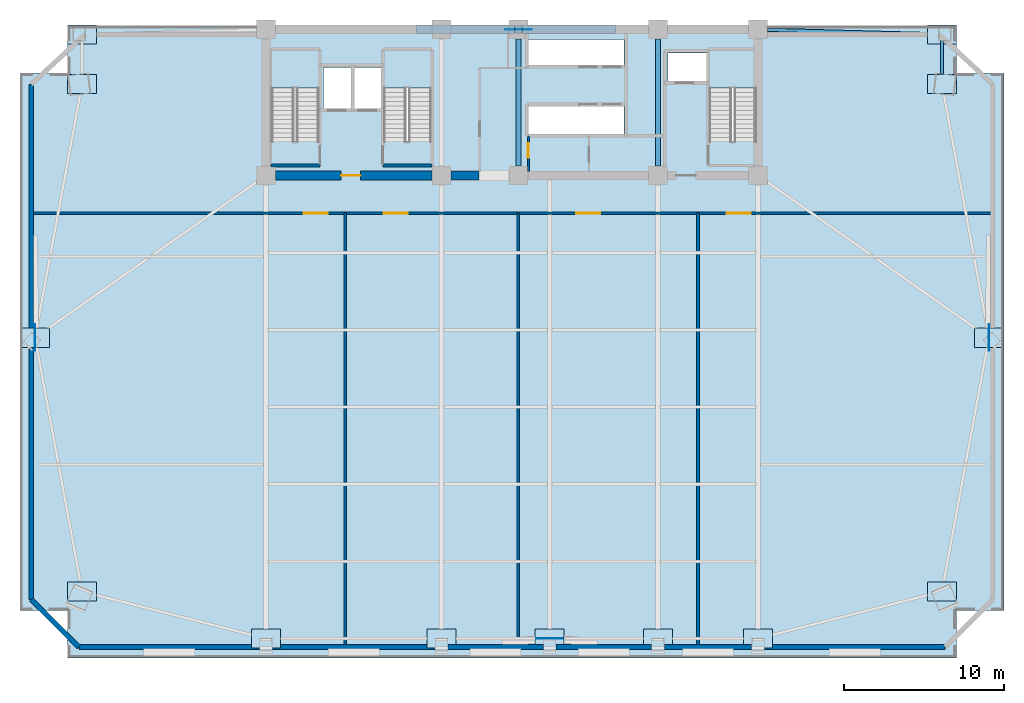
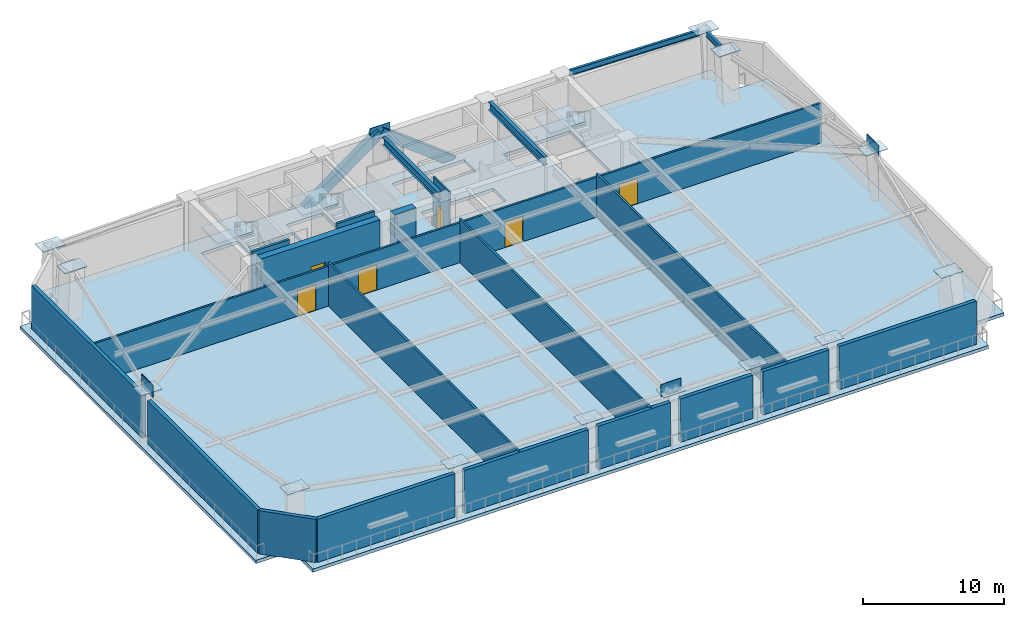
# One storey, part 2 of 9: 18 walls, 17 plates, 6 doors, 4 beams, 4 slabs, 2 members, 6 openings, 3 elements without a shape of their own.
"""IFC4 building model written with IfcOpenShell, lengths in metres."""

import ifcopenshell
import ifcopenshell.guid

model = None  # the IFC model being written
_history = None  # IfcOwnerHistory: only IFC2X3 demands one
_inside = {}  # id of a spatial element -> (the spatial element, [elements in it])
_under = {}  # id of a project, library or spatial element -> (it, [spatial elements below it])
_declared = {}  # id of a project -> (the project, [libraries it declares])
_typed = {}  # id of a type object -> (the type object, [elements of that type])
_made_of = {}  # id of a material, layer set ... -> (it, [elements and type objects made of it])


def new_model(schema):
    """Start an empty IFC model of exactly this schema.

    Asked for "IFC4X3", IfcOpenShell would pick the latest addendum, in which some entities
    have other attributes; the version numbers below select the first issue.
    IFC2X3 requires an IfcOwnerHistory on every rooted entity: one is made here for all.
    """
    global model, _history
    if schema == "IFC4X3":
        model = ifcopenshell.file(schema_version=(4, 3, 0, 0))
    else:
        model = ifcopenshell.file(schema=schema)
    _inside.clear()
    _under.clear()
    _declared.clear()
    _typed.clear()
    _made_of.clear()
    _history = None
    if model.schema == "IFC2X3":
        org = make("IfcOrganization", Name="unknown")
        user = make(
            "IfcPersonAndOrganization",
            ThePerson=make("IfcPerson", FamilyName="unknown"),
            TheOrganization=org,
        )
        app = make(
            "IfcApplication",
            ApplicationDeveloper=org,
            Version="unknown",
            ApplicationFullName="unknown",
            ApplicationIdentifier="unknown",
        )
        _history = make(
            "IfcOwnerHistory",
            OwningUser=user,
            OwningApplication=app,
            ChangeAction="ADDED",
            CreationDate=0,
        )
    return model


def make(cls, **values):
    """One entity of the class cls with the attributes given. An attribute that is None is left unset."""
    return model.create_entity(
        cls, **{name: value for name, value in values.items() if value is not None}
    )


def rooted(cls, **values):
    """An entity with a GlobalId (a new one), such as an element, a storey or a relation."""
    return make(cls, GlobalId=ifcopenshell.guid.new(), OwnerHistory=_history, **values)


def si_unit(unit_type, name, prefix=None):
    """IfcSIUnit, for example si_unit("LENGTHUNIT", "METRE", prefix="MILLI")."""
    return make("IfcSIUnit", UnitType=unit_type, Prefix=prefix, Name=name)


def assignment(units):
    """IfcUnitAssignment: the units of a project."""
    return None if units is None else make("IfcUnitAssignment", Units=units)


def point(xyz):
    """IfcCartesianPoint."""
    return None if xyz is None else make("IfcCartesianPoint", Coordinates=xyz)


def direction(xyz):
    """IfcDirection."""
    return None if xyz is None else make("IfcDirection", DirectionRatios=xyz)


def frame(location, z_axis=None, x_axis=None):
    """IfcAxis2Placement3D, a coordinate frame: its origin and axes. An axis left out is left unset."""
    return make(
        "IfcAxis2Placement3D",
        Location=point(location),
        Axis=direction(z_axis),
        RefDirection=direction(x_axis),
    )


def frame_2d(location, x_axis=None):
    """IfcAxis2Placement2D, a coordinate frame in the plane: its origin and x axis."""
    return make(
        "IfcAxis2Placement2D", Location=point(location), RefDirection=direction(x_axis)
    )


def origin():
    """The frame at (0, 0, 0) with its axes left unset."""
    return frame((0.0, 0.0, 0.0))


def origin_2d():
    """The frame at (0, 0) in the plane with its x axis left unset."""
    return frame_2d((0.0, 0.0))


def place(relative_to, where):
    """IfcLocalPlacement: puts the frame where relative to a parent placement (None: the world)."""
    return make(
        "IfcLocalPlacement", PlacementRelTo=relative_to, RelativePlacement=where
    )


def context(
    kind, dimensions, precision=None, world=None, true_north=None, identifier=None
):
    """IfcGeometricRepresentationContext, for example the 3D "Model" context."""
    return make(
        "IfcGeometricRepresentationContext",
        ContextIdentifier=identifier,
        ContextType=kind,
        CoordinateSpaceDimension=dimensions,
        Precision=precision,
        WorldCoordinateSystem=world,
        TrueNorth=true_north,
    )


def subcontext(parent, identifier, kind, view, scale=None):
    """IfcGeometricRepresentationSubContext, for example "Body" below "Model"."""
    return make(
        "IfcGeometricRepresentationSubContext",
        ContextIdentifier=identifier,
        ContextType=kind,
        ParentContext=parent,
        TargetScale=scale,
        TargetView=view,
    )


def project(units=None, contexts=None):
    """IfcProject with its units and contexts."""
    return rooted(
        "IfcProject",
        Name="project",
        RepresentationContexts=contexts,
        UnitsInContext=assignment(units),
    )


def spatial(cls, under=None, at=None, **own):
    """A site, building, storey or space (cls), placed at a placement, below another one or the project."""
    s = rooted(cls, ObjectPlacement=at, **own)
    if under is not None:
        _under.setdefault(under.id(), (under, []))[1].append(s)
    return s


def polyline(points):
    """IfcPolyline through the points."""
    return make("IfcPolyline", Points=[point(p) for p in points])


def profile(cls, at=None, kind="AREA", **sizes):
    """A parametric profile (cls). Its sizes go by their IFC names, for example OverallWidth=200.0."""
    return make(cls, ProfileType=kind, Position=at, **sizes)


def rectangle(**sizes):
    """IfcRectangleProfileDef."""
    return profile("IfcRectangleProfileDef", **sizes)


def hollow_rectangle(**sizes):
    """IfcRectangleHollowProfileDef."""
    return profile("IfcRectangleHollowProfileDef", **sizes)


def i_section(**sizes):
    """IfcIShapeProfileDef."""
    return profile("IfcIShapeProfileDef", **sizes)


def outline(outer, holes=None, kind="AREA"):
    """IfcArbitraryClosedProfileDef: a profile drawn as a closed curve; with holes, ...WithVoids."""
    if holes is None:
        return make("IfcArbitraryClosedProfileDef", ProfileType=kind, OuterCurve=outer)
    return make(
        "IfcArbitraryProfileDefWithVoids",
        ProfileType=kind,
        OuterCurve=outer,
        InnerCurves=holes,
    )


def extrude(swept, where, along, depth):
    """IfcExtrudedAreaSolid: the profile swept, set in the frame where, extruded along a direction by depth."""
    return make(
        "IfcExtrudedAreaSolid",
        SweptArea=swept,
        Position=where,
        ExtrudedDirection=direction(along),
        Depth=depth,
    )


def shape(context_of_items, identifier, shape_type, items):
    """IfcShapeRepresentation: the items that make up one representation, for example the "Body"."""
    return make(
        "IfcShapeRepresentation",
        ContextOfItems=context_of_items,
        RepresentationIdentifier=identifier,
        RepresentationType=shape_type,
        Items=items,
    )


def source(mapping_origin, context_of_items, identifier, shape_type, items):
    """IfcRepresentationMap: a shape defined once, which mapped items show again and again."""
    return make(
        "IfcRepresentationMap",
        MappingOrigin=mapping_origin,
        MappedRepresentation=shape(context_of_items, identifier, shape_type, items),
    )


def transform(
    local_origin,
    x_axis=None,
    y_axis=None,
    z_axis=None,
    scale=None,
    scale2=None,
    scale3=None,
    uniform=True,
):
    """IfcCartesianTransformationOperator3D, or its non-uniform kind. x_axis, y_axis, z_axis: its Axis1, 2, 3."""
    if uniform:
        return make(
            "IfcCartesianTransformationOperator3D",
            Axis1=direction(x_axis),
            Axis2=direction(y_axis),
            LocalOrigin=point(local_origin),
            Scale=scale,
            Axis3=direction(z_axis),
        )
    return make(
        "IfcCartesianTransformationOperator3DnonUniform",
        Axis1=direction(x_axis),
        Axis2=direction(y_axis),
        LocalOrigin=point(local_origin),
        Scale=scale,
        Axis3=direction(z_axis),
        Scale2=scale2,
        Scale3=scale3,
    )


def mapped(mapping_source, mapping_target):
    """IfcMappedItem: shows the shape of a source again, moved by a transform."""
    return make(
        "IfcMappedItem", MappingSource=mapping_source, MappingTarget=mapping_target
    )


def material(Name=None, Category=None):
    """IfcMaterial."""
    return make("IfcMaterial", Name=Name, Category=Category)


def layer(
    of_material, thickness, ventilated=None, Name=None, Category=None, Priority=None
):
    """IfcMaterialLayer: one layer of a wall or slab, of a material (None: an air gap)."""
    return make(
        "IfcMaterialLayer",
        Material=of_material,
        LayerThickness=thickness,
        IsVentilated=ventilated,
        Name=Name,
        Category=Category,
        Priority=Priority,
    )


def layer_set(layers, Name=None):
    """IfcMaterialLayerSet."""
    return make("IfcMaterialLayerSet", MaterialLayers=layers, LayerSetName=Name)


def material_profile(
    of_material, cross_section, Name=None, Category=None, Priority=None
):
    """IfcMaterialProfile: a cross section and its material."""
    return make(
        "IfcMaterialProfile",
        Name=Name,
        Material=of_material,
        Profile=cross_section,
        Priority=Priority,
        Category=Category,
    )


def profile_set(profiles, Name=None, composite=None):
    """IfcMaterialProfileSet."""
    return make(
        "IfcMaterialProfileSet",
        Name=Name,
        MaterialProfiles=profiles,
        CompositeProfile=composite,
    )


def made_of(thing, what):
    """Note that an element or type object is made of a material, layer set ...; save() writes the relation."""
    if what is not None:
        _made_of.setdefault(what.id(), (what, []))[1].append(thing)
    return thing


def type_object(cls, material=None, **own):
    """A type object (cls), such as IfcWallType, which elements share."""
    return made_of(rooted(cls, **own), material)


def element(
    cls,
    number,
    at=None,
    inside=None,
    cuts=None,
    type_object=None,
    material=None,
    context=None,
    identifier="Body",
    shape_type=None,
    held_by="IfcProductDefinitionShape",
    body=None,
    shapes=None,
    **own,
):
    """One element of the class cls, such as IfcWall. Its Tag is "e" and its number.

    at: its placement. inside: the storey or other place that contains it. cuts: it is an
    opening in that element (IfcRelVoidsElement). A single representation is given by context,
    identifier, shape_type and body (its items); several are given by shapes. held_by: the class
    of the entity that holds the representations. save() writes the other relations.
    """
    e = rooted(cls, Tag="e%d" % number, ObjectPlacement=at, **own)
    if body is not None:
        shapes = [shape(context, identifier, shape_type, body)]
    if shapes is not None:
        e.Representation = make(held_by, Representations=shapes)
    if inside is not None:
        _inside.setdefault(inside.id(), (inside, []))[1].append(e)
    if cuts is not None:
        rooted(
            "IfcRelVoidsElement", RelatingBuildingElement=cuts, RelatedOpeningElement=e
        )
    if type_object is not None:
        _typed.setdefault(type_object.id(), (type_object, []))[1].append(e)
    return made_of(e, material)


def fill(opening, filler):
    """IfcRelFillsElement: the door or window that sits in an opening."""
    return rooted(
        "IfcRelFillsElement",
        RelatingOpeningElement=opening,
        RelatedBuildingElement=filler,
    )


def aggregate(whole, parts):
    """IfcRelAggregates: a whole, such as a stair, and the parts it consists of."""
    return rooted("IfcRelAggregates", RelatingObject=whole, RelatedObjects=parts)


def save(model, path):
    """Write the relations noted so far, then the file.

    IfcRelAggregates (storeys below a building ...), IfcRelContainedInSpatialStructure (elements
    in a storey), IfcRelDefinesByType, IfcRelAssociatesMaterial and IfcRelDeclares: one each for
    every whole, place, type object, material and project.
    """
    for whole, parts in _under.values():
        aggregate(whole, parts)
    for where, things in _inside.values():
        rooted(
            "IfcRelContainedInSpatialStructure",
            RelatedElements=things,
            RelatingStructure=where,
        )
    for kind, things in _typed.values():
        rooted("IfcRelDefinesByType", RelatedObjects=things, RelatingType=kind)
    for what, things in _made_of.values():
        rooted("IfcRelAssociatesMaterial", RelatedObjects=things, RelatingMaterial=what)
    for by, libraries in _declared.values():
        rooted("IfcRelDeclares", RelatingContext=by, RelatedDefinitions=libraries)
    model.write(path)


model = new_model("IFC4")

# Units and contexts
model_context = context("Model", 3, precision=1e-05, world=origin(), true_north=direction((0.0, 1.0)))
body_context = subcontext(model_context, "Body", "Model", "MODEL_VIEW")
ifc_project = project(units=[si_unit("LENGTHUNIT", "METRE"), si_unit("AREAUNIT", "SQUARE_METRE"), si_unit("VOLUMEUNIT", "CUBIC_METRE"), si_unit("PLANEANGLEUNIT", "RADIAN"), si_unit("MASSUNIT", "GRAM", prefix="KILO")], contexts=[model_context])

# Site, building, storey
site_placement = place(None, origin())
site = spatial("IfcSite", under=ifc_project, at=site_placement, CompositionType="ELEMENT")
building_placement = place(site_placement, origin())
building = spatial("IfcBuilding", under=site, at=building_placement, Name="Giltprow Tower", CompositionType="ELEMENT")
storey_placement = place(building_placement, frame((0.0, 0.0, 144.699951171875)))
storey = spatial("IfcBuildingStorey", under=building, at=storey_placement, Name="L35", CompositionType="ELEMENT", Elevation=144.699951171875)

# Beams
ifc_material_1 = material(Name="Structural steel Q355B", Category="steel")
ifc_material_profile_1 = material_profile(ifc_material_1, i_section(OverallWidth=0.300048828125, OverallDepth=0.699951171875, WebThickness=0.012939453125, FlangeThickness=0.02392578125, at=origin_2d()), Name="HN 700x300x13x24")
ifc_profile_set_1 = profile_set([ifc_material_profile_1], Name="Structural steel Q355B")
beam_type_1 = type_object("IfcBeamType", Name="BM-GIRD-HN700", PredefinedType="BEAM", material=ifc_profile_set_1)
shared_shape_1 = source(origin(), body_context, "Body", "SweptSolid", [
    extrude(i_section(OverallWidth=0.300048828125, OverallDepth=0.699951171875, WebThickness=0.012939453125, FlangeThickness=0.02392578125, at=origin_2d()), origin(), (0.0, 0.0, 1.0), 7.93017578125),
])
for number, where, z_axis, x_axis, name in (
    (1, (35.60009765625, 38.034912109375, 3.920166015625), (0.0, 1.0, 0.0), (-1.0, 0.0, 0.0), "L35 Core Tie Girder M2"),
    (2, (44.300048828125, 38.034912109375, 3.920166015625), (0.0, 1.0, 0.0), (-1.0, 0.0, 0.0), "L35 Core Tie Girder M3"),
):
    element("IfcBeam", number, at=place(storey_placement, frame(where, z_axis=z_axis, x_axis=x_axis)), inside=storey, type_object=beam_type_1, Name=name, PredefinedType="BEAM", context=body_context, shape_type="MappedRepresentation", body=[
        mapped(shared_shape_1, transform((0.0, 0.0, 0.0), x_axis=(1.0, 0.0, 0.0), y_axis=(0.0, 1.0, 0.0), z_axis=(0.0, 0.0, 1.0), scale=1.0)),
    ])
ifc_material_profile_2 = material_profile(ifc_material_1, i_section(OverallWidth=0.199951171875, OverallDepth=0.5, WebThickness=0.010009765625, FlangeThickness=0.01611328125, at=origin_2d()), Name="HN 500x200x10x16")
ifc_profile_set_2 = profile_set([ifc_material_profile_2], Name="Structural steel Q355B")
beam_type_2 = type_object("IfcBeamType", Name="BM-SPAN-HN500", PredefinedType="SPANDREL", material=ifc_profile_set_2)
shared_shape_2 = source(origin(), body_context, "Body", "SweptSolid", [
    extrude(i_section(OverallWidth=0.199951171875, OverallDepth=0.5, WebThickness=0.010009765625, FlangeThickness=0.01611328125, at=origin_2d()), origin(), (0.0, 0.0, 1.0), 2.069091796875),
])
beam_1_placement = place(storey_placement, frame((62.011962890625, 43.7958984375, 4.02001953125), z_axis=(0.0, 1.0, 0.0), x_axis=(-1.0, 0.0, 0.0)))
element("IfcBeam", 3, at=beam_1_placement, inside=storey, type_object=beam_type_2, Name="L35 Perimeter Spandrel Beam MC_NE-N_E", PredefinedType="SPANDREL", context=body_context, shape_type="MappedRepresentation", body=[
    mapped(shared_shape_2, transform((0.0, 0.0, 0.0), x_axis=(1.0, 0.0, 0.0), y_axis=(0.0, 1.0, 0.0), z_axis=(0.0, 0.0, 1.0), scale=1.0)),
])
shared_shape_3 = source(origin(), body_context, "Body", "SweptSolid", [
    extrude(i_section(OverallWidth=0.199951171875, OverallDepth=0.5, WebThickness=0.010009765625, FlangeThickness=0.01611328125, at=origin_2d()), origin(), (0.0, 0.0, 1.0), 10.49560546875),
])
beam_2_placement = place(storey_placement, frame((51.135009765625, 46.534912109375, 4.02001953125), z_axis=(0.999656923101, -0.02619229076, 0.0), x_axis=(0.02619229076, 0.999656923101, 0.0)))
element("IfcBeam", 4, at=beam_2_placement, inside=storey, type_object=beam_type_2, Name="L35 North Wing Spandrel E", PredefinedType="SPANDREL", context=body_context, shape_type="MappedRepresentation", body=[
    mapped(shared_shape_3, transform((0.0, 0.0, 0.0), x_axis=(1.0, 0.0, 0.0), y_axis=(0.0, 1.0, 0.0), z_axis=(0.0, 0.0, 1.0), scale=1.0)),
])

# Members
ifc_material_2 = material(Name="Structural steel Q420GJC", Category="steel")
ifc_material_profile_3 = material_profile(ifc_material_2, hollow_rectangle(XDim=0.5, YDim=0.800048828125, WallThickness=0.035888671875, at=origin_2d()), Name="RHS 800x500x36")
ifc_profile_set_3 = profile_set([ifc_material_profile_3], Name="Structural steel Q420GJC")
member_type = type_object("IfcMemberType", Name="MBR-MEGA-RHS800", PredefinedType="BRACE", material=ifc_profile_set_3)
shared_shape_4 = source(origin(), body_context, "Body", "SweptSolid", [
    extrude(hollow_rectangle(XDim=0.5, YDim=0.800048828125, WallThickness=0.035888671875, at=origin_2d()), origin(), (0.0, 0.0, 1.0), 7.631103515625),
])
member_1_placement = place(storey_placement, frame((29.43701171875, 46.550048828125, -0.139892578125), z_axis=(0.807627872294, 0.0, 0.589692479089), x_axis=(0.0, 1.0, 0.0)))
element("IfcMember", 5, at=member_1_placement, inside=storey, type_object=member_type, Name="L35 Chevron Mega-Brace N-L", PredefinedType="BRACE", context=body_context, shape_type="MappedRepresentation", body=[
    mapped(shared_shape_4, transform((0.0, 0.0, 0.0), x_axis=(1.0, 0.0, 0.0), y_axis=(0.0, 1.0, 0.0), z_axis=(0.0, 0.0, 1.0), scale=1.0)),
])
shared_shape_5 = source(origin(), body_context, "Body", "SweptSolid", [
    extrude(hollow_rectangle(XDim=0.5, YDim=0.800048828125, WallThickness=0.035888671875, at=origin_2d()), origin(), (0.0, 0.0, 1.0), 7.38037109375),
])
member_2_placement = place(storey_placement, frame((41.449951171875, 46.550048828125, -0.139892578125), z_axis=(-0.792616610731, 0.0, 0.609720352615), x_axis=(0.0, -1.0, 0.0)))
element("IfcMember", 6, at=member_2_placement, inside=storey, type_object=member_type, Name="L35 Chevron Mega-Brace N-R", PredefinedType="BRACE", context=body_context, shape_type="MappedRepresentation", body=[
    mapped(shared_shape_5, transform((0.0, 0.0, 0.0), x_axis=(1.0, 0.0, 0.0), y_axis=(0.0, 1.0, 0.0), z_axis=(0.0, 0.0, 1.0), scale=1.0)),
])

# Slab
ifc_material_3 = material(Name="Concrete C40", Category="concrete")
ifc_layer_1 = layer(ifc_material_3, 0.280029296875, Name="Concrete C40")
ifc_layer_set_1 = layer_set([ifc_layer_1], Name="Concrete C40")
slab_type_1 = type_object("IfcSlabType", Name="SLB-REF-280", PredefinedType="FLOOR", material=ifc_layer_set_1)
slab_1_placement = place(storey_placement, frame((0.0, 0.0, -0.280029296875)))
element("IfcSlab", 7, at=slab_1_placement, inside=storey, type_object=slab_type_1, Name="L35 Structural Composite Floor Slab", PredefinedType="FLOOR", context=body_context, shape_type="SweptSolid", body=[
    extrude(outline(polyline([(7.47900390625, 10.30908203125), (4.513916015625, 10.30908203125), (4.513916015625, 43.833984375), (7.47900390625, 43.833984375), (7.47900390625, 46.799072265625), (62.9208984375, 46.799072265625), (62.9208984375, 43.833984375), (65.885986328125, 43.833984375), (65.885986328125, 10.30908203125), (62.9208984375, 10.30908203125), (62.9208984375, 7.344970703125), (7.47900390625, 7.344970703125), (7.47900390625, 10.30908203125)]), holes=[polyline([(42.169921875, 41.800048828125), (36.239990234375, 41.800048828125), (36.239990234375, 40.0), (42.169921875, 40.0), (42.169921875, 41.800048828125)]), polyline([(23.159912109375, 45.25), (20.199951171875, 45.25), (20.199951171875, 39.570068359375), (23.159912109375, 39.570068359375), (23.159912109375, 45.25)]), polyline([(30.159912109375, 45.25), (27.199951171875, 45.25), (27.199951171875, 39.570068359375), (30.159912109375, 39.570068359375), (30.159912109375, 45.25)]), polyline([(50.4599609375, 45.25), (47.5, 45.25), (47.5, 39.570068359375), (50.4599609375, 39.570068359375), (50.4599609375, 45.25)]), polyline([(25.169921875, 44.199951171875), (23.449951171875, 44.199951171875), (23.449951171875, 41.60009765625), (25.169921875, 41.60009765625), (25.169921875, 44.199951171875)]), polyline([(27.10009765625, 44.199951171875), (25.35009765625, 44.199951171875), (25.35009765625, 41.60009765625), (27.10009765625, 41.60009765625), (27.10009765625, 44.199951171875)]), polyline([(47.3798828125, 45.10009765625), (44.919921875, 45.10009765625), (44.919921875, 43.300048828125), (47.3798828125, 43.300048828125), (47.3798828125, 45.10009765625)]), polyline([(42.169921875, 45.919921875), (36.239990234375, 45.919921875), (36.239990234375, 44.300048828125), (42.169921875, 44.300048828125), (42.169921875, 45.919921875)])]), origin(), (0.0, 0.0, 1.0), 0.280029296875),
])

# Stair, slab
stair_type_1 = type_object("IfcStairType", Name="STR-ST-1", PredefinedType="HALF_TURN_STAIR", material=ifc_material_3)
stair_1_placement = place(storey_placement, origin())
stair_1 = element("IfcStair", 8, at=stair_1_placement, inside=storey, type_object=stair_type_1, Name="L35 Core Exit Stair ST-1", PredefinedType="HALF_TURN_STAIR")
ifc_layer_2 = layer(ifc_material_3, 0.179931640625, Name="Concrete C40")
ifc_layer_set_2 = layer_set([ifc_layer_2], Name="Concrete C40")
slab_type_2 = type_object("IfcSlabType", Name="SLD-ST-1", PredefinedType="LANDING", material=ifc_layer_set_2)
slab_2_placement = place(storey_placement, frame((0.0, 0.0, 2.070068359375)))
slab_2 = element("IfcSlab", 9, at=slab_2_placement, type_object=slab_type_2, Name="ST-1 landing 1", PredefinedType="LANDING", context=body_context, shape_type="SweptSolid", body=[
    extrude(outline(polyline([(23.159912109375, 42.909912109375), (23.159912109375, 45.25), (20.199951171875, 45.25), (20.199951171875, 42.909912109375), (23.159912109375, 42.909912109375)])), origin(), (0.0, 0.0, 1.0), 0.179931640625),
])
aggregate(stair_1, [slab_2])

stair_type_2 = type_object("IfcStairType", Name="STR-ST-2", PredefinedType="HALF_TURN_STAIR", material=ifc_material_3)
stair_2_placement = place(storey_placement, origin())
stair_2 = element("IfcStair", 10, at=stair_2_placement, inside=storey, type_object=stair_type_2, Name="L35 Core Exit Stair ST-2", PredefinedType="HALF_TURN_STAIR")
ifc_layer_3 = layer(ifc_material_3, 0.18798828125, Name="Concrete C40")
ifc_layer_set_3 = layer_set([ifc_layer_3], Name="Concrete C40")
slab_type_3 = type_object("IfcSlabType", Name="SLD-ST-2", PredefinedType="LANDING", material=ifc_layer_set_3)
slab_3_placement = place(storey_placement, frame((0.0, 0.0, 2.06201171875)))
slab_3 = element("IfcSlab", 11, at=slab_3_placement, type_object=slab_type_3, Name="ST-2 landing 1", PredefinedType="LANDING", context=body_context, shape_type="SweptSolid", body=[
    extrude(outline(polyline([(30.159912109375, 42.909912109375), (30.159912109375, 45.25), (27.199951171875, 45.25), (27.199951171875, 42.909912109375), (30.159912109375, 42.909912109375)])), origin(), (0.0, 0.0, 1.0), 0.18798828125),
])
aggregate(stair_2, [slab_3])

stair_type_3 = type_object("IfcStairType", Name="STR-ST-3", PredefinedType="HALF_TURN_STAIR", material=ifc_material_3)
stair_3_placement = place(storey_placement, origin())
stair_3 = element("IfcStair", 12, at=stair_3_placement, inside=storey, type_object=stair_type_3, Name="L35 Core Exit Stair ST-3", PredefinedType="HALF_TURN_STAIR")
ifc_layer_4 = layer(ifc_material_3, 0.196044921875, Name="Concrete C40")
ifc_layer_set_4 = layer_set([ifc_layer_4], Name="Concrete C40")
slab_type_4 = type_object("IfcSlabType", Name="SLD-ST-3", PredefinedType="LANDING", material=ifc_layer_set_4)
slab_4_placement = place(storey_placement, frame((0.0, 0.0, 2.053955078125)))
slab_4 = element("IfcSlab", 13, at=slab_4_placement, type_object=slab_type_4, Name="ST-3 landing 1", PredefinedType="LANDING", context=body_context, shape_type="SweptSolid", body=[
    extrude(outline(polyline([(50.4599609375, 42.909912109375), (50.4599609375, 45.25), (47.5, 45.25), (47.5, 42.909912109375), (50.4599609375, 42.909912109375)])), origin(), (0.0, 0.0, 1.0), 0.196044921875),
])
aggregate(stair_3, [slab_4])

# Plates
plate_type_1 = type_object("IfcPlateType", Name="PLT-NODE-CKN1", PredefinedType="USERDEFINED", material=ifc_material_2)
shared_shape_6 = source(origin(), body_context, "Body", "SweptSolid", [
    extrude(rectangle(XDim=1.800048828125, YDim=1.199951171875, at=origin_2d()), origin(), (0.0, 0.0, 1.0), 0.044921875),
])
for number, where, z_axis, x_axis, name in (
    (14, (8.387939453125, 11.510986328125, 4.2275390625), (0.0, 0.0, 1.0), (1.0, 0.0, 0.0), "CKN1 Column Taper Splice Node L35-MC_SW"),
    (15, (62.011962890625, 11.510986328125, 4.2275390625), (0.0, 0.0, 1.0), (1.0, 0.0, 0.0), "CKN1 Column Taper Splice Node L35-MC_SE"),
    (16, (8.387939453125, 43.160888671875, 4.2275390625), (0.0, 0.0, 1.0), (1.0, 0.0, 0.0), "CKN1 Column Taper Splice Node L35-MC_NW"),
    (17, (62.011962890625, 43.160888671875, 4.2275390625), (0.0, 0.0, 1.0), (1.0, 0.0, 0.0), "CKN1 Column Taper Splice Node L35-MC_NE"),
    (18, (19.85009765625, 8.572021484375, 4.2275390625), (0.0, 0.0, 1.0), (1.0, 0.0, 0.0), "CKN1 Column Taper Splice Node L35-S1"),
    (19, (30.800048828125, 8.572021484375, 4.2275390625), (0.0, 0.0, 1.0), (1.0, 0.0, 0.0), "CKN1 Column Taper Splice Node L35-S2"),
    (20, (37.550048828125, 8.572021484375, 4.2275390625), (0.0, 0.0, 1.0), (1.0, 0.0, 0.0), "CKN1 Column Taper Splice Node L35-S_MID"),
    (21, (44.300048828125, 8.572021484375, 4.2275390625), (0.0, 0.0, 1.0), (1.0, 0.0, 0.0), "CKN1 Column Taper Splice Node L35-S3"),
    (22, (50.550048828125, 8.572021484375, 4.2275390625), (0.0, 0.0, 1.0), (1.0, 0.0, 0.0), "CKN1 Column Taper Splice Node L35-S4"),
    (23, (5.448974609375, 27.3359375, 4.2275390625), (0.0, 0.0, 1.0), (1.0, 0.0, 0.0), "CKN1 Column Taper Splice Node L35-W_MID"),
    (24, (64.950927734375, 27.3359375, 4.2275390625), (0.0, 0.0, 1.0), (1.0, 0.0, 0.0), "CKN1 Column Taper Splice Node L35-E_MID"),
    (25, (8.387939453125, 46.25, 4.2275390625), (0.0, 0.0, 1.0), (1.0, 0.0, 0.0), "CKN1 Column Taper Splice Node L35-N_W"),
    (26, (62.011962890625, 46.25, 4.2275390625), (0.0, 0.0, 1.0), (1.0, 0.0, 0.0), "CKN1 Column Taper Splice Node L35-N_E"),
):
    element("IfcPlate", number, at=place(storey_placement, frame(where, z_axis=z_axis, x_axis=x_axis)), inside=storey, type_object=plate_type_1, Name=name, ObjectType="SPLICE", PredefinedType="USERDEFINED", context=body_context, shape_type="MappedRepresentation", body=[
        mapped(shared_shape_6, transform((0.0, 0.0, 0.0), x_axis=(1.0, 0.0, 0.0), y_axis=(0.0, 1.0, 0.0), z_axis=(0.0, 0.0, 1.0), scale=1.0)),
    ])
plate_type_2 = type_object("IfcPlateType", Name="PLT-NODE-MBN2", PredefinedType="USERDEFINED", material=ifc_material_2)
shared_shape_7 = source(origin(), body_context, "Body", "SweptSolid", [
    extrude(rectangle(XDim=1.64990234375, YDim=0.044921875, at=origin_2d()), origin(), (0.0, 0.0, 1.0), 1.050048828125),
])
for number, where, z_axis, x_axis, name in (
    (27, (37.550048828125, 8.572021484375, 3.97509765625), (0.0, 0.0, 1.0), (1.0, 0.0, 0.0), "Mega-Brace Node L35-S-LB"),
    (28, (35.60009765625, 46.550048828125, 3.8349609375), (0.0, 0.0, 1.0), (1.0, 0.0, 0.0), "Mega-Brace Node L35-N-LB"),
    (29, (5.448974609375, 27.3359375, 3.97509765625), (0.0, 0.0, 1.0), (0.0, 1.0, 0.0), "Mega-Brace Node L35-W-RB"),
    (30, (64.950927734375, 27.3359375, 3.97509765625), (0.0, 0.0, 1.0), (0.0, 1.0, 0.0), "Mega-Brace Node L35-E-RB"),
):
    element("IfcPlate", number, at=place(storey_placement, frame(where, z_axis=z_axis, x_axis=x_axis)), inside=storey, type_object=plate_type_2, Name=name, ObjectType="GUSSET", PredefinedType="USERDEFINED", context=body_context, shape_type="MappedRepresentation", body=[
        mapped(shared_shape_7, transform((0.0, 0.0, 0.0), x_axis=(1.0, 0.0, 0.0), y_axis=(0.0, 1.0, 0.0), z_axis=(0.0, 0.0, 1.0), scale=1.0)),
    ])

# Walls
ifc_material_4 = material(Name="Precast concrete C40", Category="concrete")
ifc_layer_5 = layer(ifc_material_4, 0.300048828125, Name="Precast concrete C40")
ifc_layer_set_5 = layer_set([ifc_layer_5], Name="Precast concrete C40")
wall_type_1 = type_object("IfcWallType", Name="EW-NOTCH-CHAMFER-300", PredefinedType="SOLIDWALL", material=ifc_layer_set_5)
wall_1_placement = place(storey_placement, frame((5.214111328125, 11.010009765625, 0.0), z_axis=(0.0, 0.0, 1.0), x_axis=(0.707077668364, -0.70713589281, 0.0)))
element("IfcWall", 31, at=wall_1_placement, inside=storey, type_object=wall_type_1, Name="L35 Corner Notch Wall SW", PredefinedType="SOLIDWALL", context=body_context, shape_type="SweptSolid", body=[
    extrude(rectangle(XDim=4.193115234375, YDim=0.300048828125, at=frame_2d((2.0966796875, 0.0))), origin(), (0.0, 0.0, 1.0), 3.75),
])
ifc_layer_6 = layer(ifc_material_4, 0.300048828125, Name="Precast concrete C40")
ifc_layer_set_6 = layer_set([ifc_layer_6], Name="Precast concrete C40")
wall_type_2 = type_object("IfcWallType", Name="EW-REF-LOUVRE-300", PredefinedType="SOLIDWALL", material=ifc_layer_set_6)
wall_2_placement = place(storey_placement, frame((8.178955078125, 8.044921875, 0.0), z_axis=(0.0, 0.0, 1.0), x_axis=(1.0, 0.0, 0.0)))
element("IfcWall", 32, at=wall_2_placement, inside=storey, type_object=wall_type_2, Name="L35 South Expressed Frame Wall 1", PredefinedType="SOLIDWALL", context=body_context, shape_type="SweptSolid", body=[
    extrude(rectangle(XDim=11.27099609375, YDim=0.300048828125, at=frame_2d((5.635498046875, 0.0))), origin(), (0.0, 0.0, 1.0), 3.75),
])
wall_3_placement = place(storey_placement, frame((20.25, 8.044921875, 0.0), z_axis=(0.0, 0.0, 1.0), x_axis=(1.0, 0.0, 0.0)))
element("IfcWall", 33, at=wall_3_placement, inside=storey, type_object=wall_type_2, Name="L35 South Expressed Frame Wall 2", PredefinedType="SOLIDWALL", context=body_context, shape_type="SweptSolid", body=[
    extrude(rectangle(XDim=10.14990234375, YDim=0.300048828125, at=frame_2d((5.074951171875, 0.0))), origin(), (0.0, 0.0, 1.0), 3.75),
])
for number, where, z_axis, x_axis, name in (
    (34, (31.199951171875, 8.044921875, 0.0), (0.0, 0.0, 1.0), (1.0, 0.0, 0.0), "L35 South Expressed Frame Wall 3"),
    (35, (37.949951171875, 8.044921875, 0.0), (0.0, 0.0, 1.0), (1.0, 0.0, 0.0), "L35 South Expressed Frame Wall 4"),
):
    element("IfcWall", number, at=place(storey_placement, frame(where, z_axis=z_axis, x_axis=x_axis)), inside=storey, type_object=wall_type_2, Name=name, PredefinedType="SOLIDWALL", context=body_context, shape_type="SweptSolid", body=[
        extrude(rectangle(XDim=5.949951171875, YDim=0.300048828125, at=frame_2d((2.97509765625, 0.0))), origin(), (0.0, 0.0, 1.0), 3.75),
    ])
wall_4_placement = place(storey_placement, frame((44.699951171875, 8.044921875, 0.0), z_axis=(0.0, 0.0, 1.0), x_axis=(1.0, 0.0, 0.0)))
element("IfcWall", 36, at=wall_4_placement, inside=storey, type_object=wall_type_2, Name="L35 South Expressed Frame Wall 5", PredefinedType="SOLIDWALL", context=body_context, shape_type="SweptSolid", body=[
    extrude(rectangle(XDim=5.449951171875, YDim=0.300048828125, at=frame_2d((2.72509765625, 0.0))), origin(), (0.0, 0.0, 1.0), 3.75),
])
wall_5_placement = place(storey_placement, frame((50.949951171875, 8.044921875, 0.0), z_axis=(0.0, 0.0, 1.0), x_axis=(1.0, 0.0, 0.0)))
element("IfcWall", 37, at=wall_5_placement, inside=storey, type_object=wall_type_2, Name="L35 South Expressed Frame Wall 6", PredefinedType="SOLIDWALL", context=body_context, shape_type="SweptSolid", body=[
    extrude(rectangle(XDim=11.27099609375, YDim=0.300048828125, at=frame_2d((5.635498046875, 0.0))), origin(), (0.0, 0.0, 1.0), 3.75),
])
for number, where, z_axis, x_axis, name in (
    (38, (5.214111328125, 11.010009765625, 0.0), (0.0, 0.0, 1.0), (0.0, 1.0, 0.0), "L35 W Wing Masonry Wall 1"),
    (39, (5.214111328125, 27.471923828125, 0.0), (0.0, 0.0, 1.0), (0.0, 1.0, 0.0), "L35 W Wing Masonry Wall 2"),
):
    element("IfcWall", number, at=place(storey_placement, frame(where, z_axis=z_axis, x_axis=x_axis)), inside=storey, type_object=wall_type_2, Name=name, PredefinedType="SOLIDWALL", context=body_context, shape_type="SweptSolid", body=[
        extrude(rectangle(XDim=15.662109375, YDim=0.300048828125, at=frame_2d((7.8310546875, 0.0))), origin(), (0.0, 0.0, 1.0), 3.75),
    ])

# Wall, openings, doors
ifc_material_5 = material(Name="Gypsum stud partition", Category="gypsum")
ifc_layer_7 = layer(ifc_material_5, 0.159912109375, Name="Gypsum stud partition")
ifc_layer_set_7 = layer_set([ifc_layer_7], Name="Gypsum stud partition")
wall_type_3 = type_object("IfcWallType", Name="IW-DEMISE-160", PredefinedType="PARTITIONING", material=ifc_layer_set_7)
wall_6_placement = place(storey_placement, frame((5.214111328125, 35.10009765625, 0.0), z_axis=(0.0, 0.0, 1.0), x_axis=(1.0, 0.0, 0.0)))
wall_6 = element("IfcWall", 40, at=wall_6_placement, inside=storey, type_object=wall_type_3, Name="L35 Refuge and Plant Corridor Wall", PredefinedType="PARTITIONING", context=body_context, shape_type="SweptSolid", body=[
    extrude(rectangle(XDim=59.971923828125, YDim=0.159912109375, at=frame_2d((29.98583984375, 0.0))), origin(), (0.0, 0.0, 1.0), 3.455078125),
])
opening_1_placement = place(wall_6_placement, frame((16.986083984375, 0.0, 0.0)))
opening_1 = element("IfcOpeningElement", 41, at=opening_1_placement, cuts=wall_6, Name="Opening ID25", PredefinedType="OPENING", context=body_context, shape_type="SweptSolid", body=[
    extrude(rectangle(XDim=1.5, YDim=2.199951171875, at=frame_2d((0.75, 1.10009765625))), frame((0.0, 0.08984375, 0.0), z_axis=(0.0, -1.0, 0.0), x_axis=(1.0, 0.0, 0.0)), (0.0, 0.0, 1.0), 0.179931640625),
])
opening_2_placement = place(wall_6_placement, frame((21.986083984375, 0.0, 0.0)))
opening_2 = element("IfcOpeningElement", 42, at=opening_2_placement, cuts=wall_6, Name="Opening ID25", PredefinedType="OPENING", context=body_context, shape_type="SweptSolid", body=[
    extrude(rectangle(XDim=1.5, YDim=2.199951171875, at=frame_2d((0.75, 1.10009765625))), frame((0.0, 0.08984375, 0.0), z_axis=(0.0, -1.0, 0.0), x_axis=(1.0, 0.0, 0.0)), (0.0, 0.0, 1.0), 0.179931640625),
])
opening_3_placement = place(wall_6_placement, frame((33.986083984375, 0.0, 0.0)))
opening_3 = element("IfcOpeningElement", 43, at=opening_3_placement, cuts=wall_6, Name="Opening ID25", PredefinedType="OPENING", context=body_context, shape_type="SweptSolid", body=[
    extrude(rectangle(XDim=1.5, YDim=2.199951171875, at=frame_2d((0.75, 1.10009765625))), frame((0.0, 0.08984375, 0.0), z_axis=(0.0, -1.0, 0.0), x_axis=(1.0, 0.0, 0.0)), (0.0, 0.0, 1.0), 0.179931640625),
])
opening_4_placement = place(wall_6_placement, frame((43.385986328125, 0.0, 0.0)))
opening_4 = element("IfcOpeningElement", 44, at=opening_4_placement, cuts=wall_6, Name="Opening ID25", PredefinedType="OPENING", context=body_context, shape_type="SweptSolid", body=[
    extrude(rectangle(XDim=1.5, YDim=2.199951171875, at=frame_2d((0.75, 1.10009765625))), frame((0.0, 0.08984375, 0.0), z_axis=(0.0, -1.0, 0.0), x_axis=(1.0, 0.0, 0.0)), (0.0, 0.0, 1.0), 0.179931640625),
])
ifc_material_6 = material(Name="Steel fire leaf", Category="steel")
door_type_1 = type_object("IfcDoorType", Name="DR-PLANT-1500", OperationType="DOUBLE_SWING_LEFT", PredefinedType="DOOR", material=ifc_material_6)
shared_shape_8 = source(origin(), body_context, "Body", "SweptSolid", [
    extrude(rectangle(XDim=1.5, YDim=2.199951171875, at=frame_2d((0.75, 1.10009765625))), frame((0.0, 0.02490234375, 0.0), z_axis=(0.0, -1.0, 0.0), x_axis=(1.0, 0.0, 0.0)), (0.0, 0.0, 1.0), 0.050048828125),
])
door_1_placement = place(opening_1_placement, origin())
door_1 = element("IfcDoor", 45, at=door_1_placement, inside=storey, type_object=door_type_1, Name="L35 Pressurized Fire Refuge Holding Area West Door", OperationType="DOUBLE_SWING_LEFT", OverallHeight=2.199951171875, OverallWidth=1.5, PredefinedType="DOOR", context=body_context, shape_type="MappedRepresentation", body=[
    mapped(shared_shape_8, transform((0.0, 0.0, 0.0), x_axis=(1.0, 0.0, 0.0), y_axis=(0.0, 1.0, 0.0), z_axis=(0.0, 0.0, 1.0), scale=1.0)),
])
fill(opening_1, door_1)
door_2_placement = place(opening_2_placement, origin())
door_2 = element("IfcDoor", 46, at=door_2_placement, inside=storey, type_object=door_type_1, Name="L35 Zone Air Handling and Smoke Dampers Plant Door", OperationType="DOUBLE_SWING_LEFT", OverallHeight=2.199951171875, OverallWidth=1.5, PredefinedType="DOOR", context=body_context, shape_type="MappedRepresentation", body=[
    mapped(shared_shape_8, transform((0.0, 0.0, 0.0), x_axis=(1.0, 0.0, 0.0), y_axis=(0.0, 1.0, 0.0), z_axis=(0.0, 0.0, 1.0), scale=1.0)),
])
fill(opening_2, door_2)
door_3_placement = place(opening_3_placement, origin())
door_3 = element("IfcDoor", 47, at=door_3_placement, inside=storey, type_object=door_type_1, Name="L35 High-Zone Heat Exchanger and Pump Plant Door", OperationType="DOUBLE_SWING_LEFT", OverallHeight=2.199951171875, OverallWidth=1.5, PredefinedType="DOOR", context=body_context, shape_type="MappedRepresentation", body=[
    mapped(shared_shape_8, transform((0.0, 0.0, 0.0), x_axis=(1.0, 0.0, 0.0), y_axis=(0.0, 1.0, 0.0), z_axis=(0.0, 0.0, 1.0), scale=1.0)),
])
fill(opening_3, door_3)
door_4_placement = place(opening_4_placement, origin())
door_4 = element("IfcDoor", 48, at=door_4_placement, inside=storey, type_object=door_type_1, Name="L35 Pressurized Fire Refuge Holding Area East Door", OperationType="DOUBLE_SWING_LEFT", OverallHeight=2.199951171875, OverallWidth=1.5, PredefinedType="DOOR", context=body_context, shape_type="MappedRepresentation", body=[
    mapped(shared_shape_8, transform((0.0, 0.0, 0.0), x_axis=(1.0, 0.0, 0.0), y_axis=(0.0, 1.0, 0.0), z_axis=(0.0, 0.0, 1.0), scale=1.0)),
])
fill(opening_4, door_4)

# Walls
for number, where, z_axis, x_axis, name in (
    (49, (24.800048828125, 8.044921875, 0.0), (0.0, 0.0, 1.0), (0.0, 1.0, 0.0), "L35 Refuge Compartment Wall 1"),
    (50, (35.60009765625, 8.044921875, 0.0), (0.0, 0.0, 1.0), (0.0, 1.0, 0.0), "L35 Refuge Compartment Wall 2"),
    (51, (46.800048828125, 8.044921875, 0.0), (0.0, 0.0, 1.0), (0.0, 1.0, 0.0), "L35 Refuge Compartment Wall 3"),
):
    element("IfcWall", number, at=place(storey_placement, frame(where, z_axis=z_axis, x_axis=x_axis)), inside=storey, type_object=wall_type_3, Name=name, PredefinedType="PARTITIONING", context=body_context, shape_type="SweptSolid", body=[
        extrude(rectangle(XDim=27.05517578125, YDim=0.159912109375, at=frame_2d((13.527587890625, 0.0))), origin(), (0.0, 0.0, 1.0), 3.755126953125),
    ])
ifc_layer_8 = layer(ifc_material_3, 0.199951171875, Name="Concrete C40")
ifc_layer_set_8 = layer_set([ifc_layer_8], Name="Concrete C40")
wall_type_4 = type_object("IfcWallType", Name="IW-STAIR-200", PredefinedType="SOLIDWALL", material=ifc_layer_set_8)
wall_7_placement = place(storey_placement, frame((20.169921875, 38.070068359375, 0.0), z_axis=(0.0, 0.0, 1.0), x_axis=(1.0, 0.0, 0.0)))
element("IfcWall", 52, at=wall_7_placement, inside=storey, type_object=wall_type_4, Name="L35 Stair ST-1 South Bearing Wall", PredefinedType="SOLIDWALL", context=body_context, shape_type="SweptSolid", body=[
    extrude(rectangle(XDim=3.050048828125, YDim=0.199951171875, at=frame_2d((1.52490234375, 0.0))), origin(), (0.0, 0.0, 1.0), 4.5),
])
wall_8_placement = place(storey_placement, frame((27.139892578125, 38.070068359375, 0.0), z_axis=(0.0, 0.0, 1.0), x_axis=(1.0, 0.0, 0.0)))
element("IfcWall", 53, at=wall_8_placement, inside=storey, type_object=wall_type_4, Name="L35 Stair ST-2 South Bearing Wall", PredefinedType="SOLIDWALL", context=body_context, shape_type="SweptSolid", body=[
    extrude(rectangle(XDim=3.080078125, YDim=0.199951171875, at=frame_2d((1.5400390625, 0.0))), origin(), (0.0, 0.0, 1.0), 4.5),
])

# Wall, opening, door
ifc_material_7 = material(Name="Concrete C30", Category="concrete")
ifc_layer_9 = layer(ifc_material_7, 0.1298828125, Name="Concrete C30")
ifc_layer_set_9 = layer_set([ifc_layer_9], Name="Concrete C30")
wall_type_5 = type_object("IfcWallType", Name="IW-WET-130", PredefinedType="PARTITIONING", material=ifc_layer_set_9)
wall_9_placement = place(storey_placement, frame((36.219970703125, 37.705078125, 0.0), z_axis=(0.0, 0.0, 1.0), x_axis=(0.0, 1.0, 0.0)))
wall_9 = element("IfcWall", 54, at=wall_9_placement, inside=storey, type_object=wall_type_5, Name="L35 Core Valet West Wall", PredefinedType="PARTITIONING", context=body_context, shape_type="SweptSolid", body=[
    extrude(rectangle(XDim=2.21484375, YDim=0.1298828125, at=frame_2d((1.107421875, 0.0))), origin(), (0.0, 0.0, 1.0), 4.27001953125),
])
opening_5_placement = place(wall_9_placement, frame((0.85498046875, 0.0, 0.0)))
opening_5 = element("IfcOpeningElement", 55, at=opening_5_placement, cuts=wall_9, Name="Opening ID35", PredefinedType="OPENING", context=body_context, shape_type="SweptSolid", body=[
    extrude(rectangle(XDim=0.89990234375, YDim=2.10009765625, at=frame_2d((0.449951171875, 1.050048828125))), frame((0.0, 0.074951171875, 0.0), z_axis=(0.0, -1.0, 0.0), x_axis=(1.0, 0.0, 0.0)), (0.0, 0.0, 1.0), 0.14990234375),
])
door_type_2 = type_object("IfcDoorType", Name="DR-SHAFT-900", OperationType="SINGLE_SWING_LEFT", PredefinedType="DOOR", material=ifc_material_6)
shared_shape_9 = source(origin(), body_context, "Body", "SweptSolid", [
    extrude(rectangle(XDim=0.89990234375, YDim=2.10009765625, at=frame_2d((0.449951171875, 1.050048828125))), frame((0.0, 0.02490234375, 0.0), z_axis=(0.0, -1.0, 0.0), x_axis=(1.0, 0.0, 0.0)), (0.0, 0.0, 1.0), 0.050048828125),
])
door_5_placement = place(opening_5_placement, origin())
door_5 = element("IfcDoor", 56, at=door_5_placement, inside=storey, type_object=door_type_2, Name="L35 Core Staff WC Door", OperationType="SINGLE_SWING_RIGHT", OverallHeight=2.10009765625, OverallWidth=0.89990234375, PredefinedType="DOOR", context=body_context, shape_type="MappedRepresentation", body=[
    mapped(shared_shape_9, transform((0.0, 0.0, 0.0), x_axis=(1.0, 0.0, 0.0), y_axis=(0.0, 1.0, 0.0), z_axis=(0.0, 0.0, 1.0), scale=1.0)),
])
fill(opening_5, door_5)

ifc_material_8 = material(Name="Concrete C60", Category="concrete")
ifc_layer_10 = layer(ifc_material_8, 0.550048828125, Name="Concrete C60")
ifc_layer_set_10 = layer_set([ifc_layer_10], Name="Concrete C60")
wall_type_6 = type_object("IfcWallType", Name="SW-INT-550-C60", PredefinedType="SHEAR", material=ifc_layer_set_10)
wall_10_placement = place(storey_placement, frame((20.449951171875, 37.449951171875, 0.0), z_axis=(0.0, 0.0, 1.0), x_axis=(1.0, 0.0, 0.0)))
wall_10 = element("IfcWall", 57, at=wall_10_placement, inside=storey, type_object=wall_type_6, Name="L35 South Rear Core Shear Wall West", PredefinedType="SHEAR", context=body_context, shape_type="SweptSolid", body=[
    extrude(rectangle(XDim=9.75, YDim=0.550048828125, at=frame_2d((4.875, 0.0))), origin(), (0.0, 0.0, 1.0), 4.27001953125),
])
opening_6_placement = place(wall_10_placement, frame((4.10009765625, 0.0, 0.0)))
opening_6 = element("IfcOpeningElement", 58, at=opening_6_placement, cuts=wall_10, Name="Opening ID19", PredefinedType="OPENING", context=body_context, shape_type="SweptSolid", body=[
    extrude(rectangle(XDim=1.199951171875, YDim=2.14990234375, at=frame_2d((0.60009765625, 1.074951171875))), frame((0.0, 0.284912109375, 0.0), z_axis=(0.0, -1.0, 0.0), x_axis=(1.0, 0.0, 0.0)), (0.0, 0.0, 1.0), 0.570068359375),
])
door_type_3 = type_object("IfcDoorType", Name="DR-FFLOBBY-1200", OperationType="SINGLE_SWING_RIGHT", PredefinedType="DOOR", material=ifc_material_6)
shared_shape_10 = source(origin(), body_context, "Body", "SweptSolid", [
    extrude(rectangle(XDim=1.199951171875, YDim=2.14990234375, at=frame_2d((0.60009765625, 1.074951171875))), frame((0.0, 0.02490234375, 0.0), z_axis=(0.0, -1.0, 0.0), x_axis=(1.0, 0.0, 0.0)), (0.0, 0.0, 1.0), 0.050048828125),
])
door_6_placement = place(opening_6_placement, origin())
door_6 = element("IfcDoor", 59, at=door_6_placement, inside=storey, type_object=door_type_3, Name="L35 West Firefighting Lobby Entry Door", OperationType="SINGLE_SWING_LEFT", OverallHeight=2.14990234375, OverallWidth=1.199951171875, PredefinedType="DOOR", context=body_context, shape_type="MappedRepresentation", body=[
    mapped(shared_shape_10, transform((0.0, 0.0, 0.0), x_axis=(1.0, 0.0, 0.0), y_axis=(0.0, 1.0, 0.0), z_axis=(0.0, 0.0, 1.0), scale=1.0)),
])
fill(opening_6, door_6)

# Wall
wall_11_placement = place(storey_placement, frame((31.39990234375, 37.449951171875, 0.0), z_axis=(0.0, 0.0, 1.0), x_axis=(1.0, 0.0, 0.0)))
element("IfcWall", 60, at=wall_11_placement, inside=storey, type_object=wall_type_6, Name="L35 South Rear Core Shear Wall Mid-West", PredefinedType="SHEAR", context=body_context, shape_type="SweptSolid", body=[
    extrude(rectangle(XDim=1.75, YDim=0.550048828125, at=frame_2d((0.875, 0.0))), origin(), (0.0, 0.0, 1.0), 4.27001953125),
])

save(model, "model.ifc")
